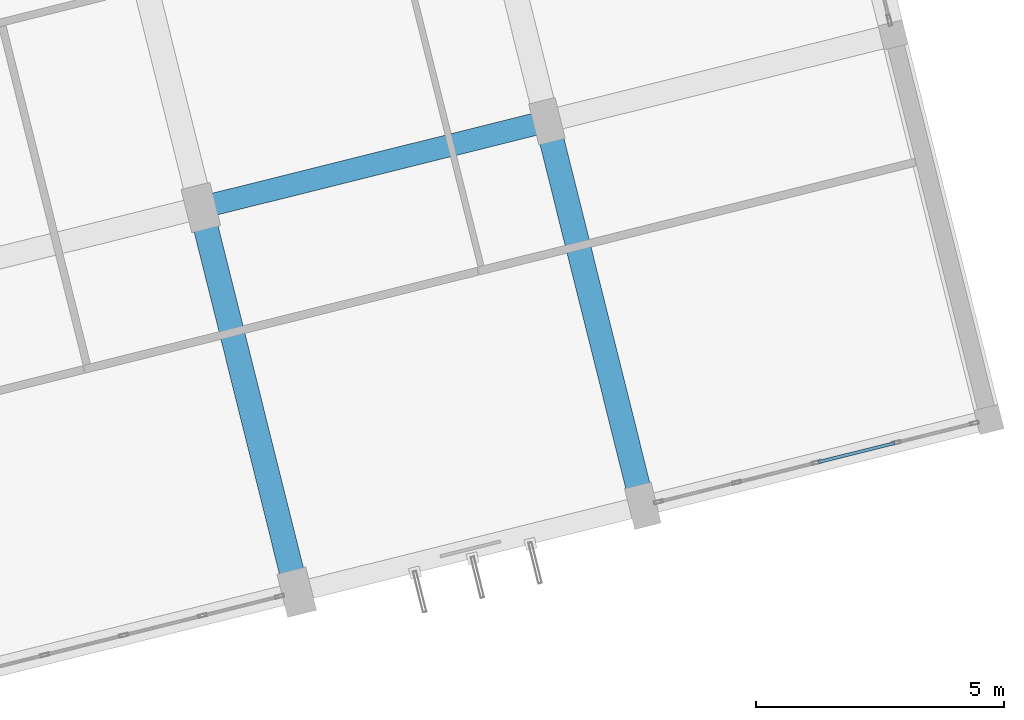
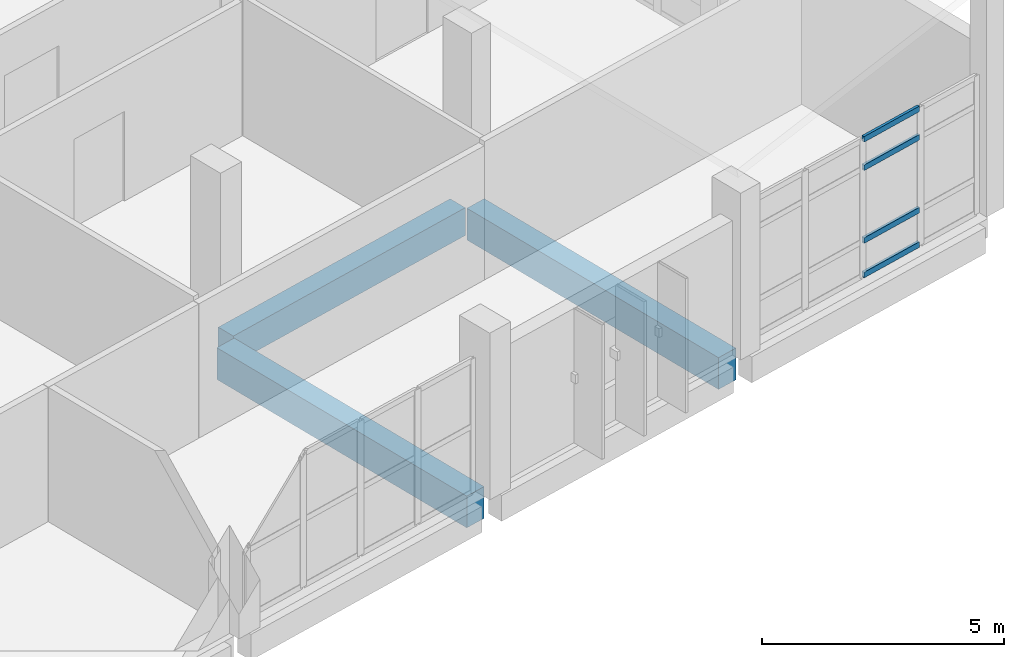
# One storey, part 109 of 164: 4 members, 3 beams, 1 element without a shape of its own.
"""IFC4 building model written with IfcOpenShell, lengths in metres."""

from ifc_helpers import new_model, si_unit, direction, frame, origin, origin_2d, place, context, subcontext, project, spatial, rectangle, hollow_rectangle, extrude, material, layer, layer_set, material_profile, profile_set, type_object, element, aggregate, save


model = new_model("IFC4")

# Units and contexts
model_context = context("Model", 3, precision=1e-05, world=origin(), true_north=direction((0.0, 1.0)))
body_context = subcontext(model_context, "Body", "Model", "MODEL_VIEW")
ifc_project = project(units=[si_unit("LENGTHUNIT", "METRE"), si_unit("AREAUNIT", "SQUARE_METRE"), si_unit("VOLUMEUNIT", "CUBIC_METRE"), si_unit("PLANEANGLEUNIT", "RADIAN"), si_unit("MASSUNIT", "GRAM", prefix="KILO")], contexts=[model_context])

# Site, building, storey
site_placement = place(None, origin())
site = spatial("IfcSite", under=ifc_project, at=site_placement, CompositionType="ELEMENT")
building_placement = place(site_placement, origin())
building = spatial("IfcBuilding", under=site, at=building_placement, Name="Mawjan Specialist Oncology Clinic", CompositionType="ELEMENT")
storey_placement = place(building_placement, frame((0.0, 0.0, 5.0)))
storey = spatial("IfcBuildingStorey", under=building, at=storey_placement, Name="L01", CompositionType="ELEMENT", Elevation=5.0)

# Beams
ifc_material_1 = material(Name="Concrete C40/50", Category="concrete")
ifc_material_profile_1 = material_profile(ifc_material_1, rectangle(XDim=0.449951171875, YDim=0.699951171875, at=origin_2d()), Name="RC BM 450x700", Category="concrete")
ifc_profile_set_1 = profile_set([ifc_material_profile_1], Name="Concrete C40/50")
beam_type_1 = type_object("IfcBeamType", Name="BM-450x700", PredefinedType="BEAM", material=ifc_profile_set_1)
beam_1_placement = place(storey_placement, frame((145.299560546875, 13.85693359375, -0.64990234375), z_axis=(0.970299828174, 0.241905443192, 0.0), x_axis=(-0.241905443192, 0.970299828174, 0.0)))
element("IfcBeam", 1, at=beam_1_placement, inside=storey, type_object=beam_type_1, Name="L01 Collector Beam BM-L01-0593", PredefinedType="BEAM", context=body_context, shape_type="SweptSolid", body=[
    extrude(rectangle(XDim=0.449951171875, YDim=0.699951171875, at=origin_2d()), origin(), (0.0, 0.0, 1.0), 6.655029296875),
])
ifc_material_2 = material(Name="Concrete C45/55", Category="concrete")
ifc_material_profile_2 = material_profile(ifc_material_2, rectangle(XDim=0.5, YDim=0.800048828125, at=origin_2d()), Name="RC BM 500x800", Category="concrete")
ifc_profile_set_2 = profile_set([ifc_material_profile_2], Name="Concrete C45/55")
beam_type_2 = type_object("IfcBeamType", Name="BM-500x800", PredefinedType="BEAM", material=ifc_profile_set_2)
beam_2_placement = place(storey_placement, frame((146.889404296875, 6.302001953125, -0.699951171875), z_axis=(-0.241909317102, 0.970298862361, 0.0), x_axis=(-0.970298862361, -0.241909317102, 0.0)))
element("IfcBeam", 2, at=beam_2_placement, inside=storey, type_object=beam_type_2, Name="L01 Collector Beam BM-L01-0625", PredefinedType="BEAM", context=body_context, shape_type="SweptSolid", body=[
    extrude(rectangle(XDim=0.5, YDim=0.800048828125, at=origin_2d()), origin(), (0.0, 0.0, 1.0), 7.429931640625),
])
beam_3_placement = place(storey_placement, frame((153.881591796875, 8.01953125, -0.699951171875), z_axis=(-0.241921192876, 0.970295901485, 0.0), x_axis=(-0.970295901485, -0.241921192876, 0.0)))
element("IfcBeam", 3, at=beam_3_placement, inside=storey, type_object=beam_type_2, Name="L01 Collector Beam BM-L01-0630", PredefinedType="BEAM", context=body_context, shape_type="SweptSolid", body=[
    extrude(rectangle(XDim=0.5, YDim=0.800048828125, at=origin_2d()), origin(), (0.0, 0.0, 1.0), 7.47998046875),
])

# Curtain wall, members
ifc_material_3 = material(Name="Unitised spectrally selective aluminium curtain wall", Category="aluminium")
ifc_layer = layer(ifc_material_3, 0.179931640625, Name="Unitised spectrally selective aluminium curtain wall", Category="aluminium")
ifc_layer_set = layer_set([ifc_layer], Name="Unitised spectrally selective aluminium curtain wall")
curtain_wall_type = type_object("IfcCurtainWallType", Name="CW-43", PredefinedType="NOTDEFINED", material=ifc_layer_set)
curtain_wall_placement = place(storey_placement, origin())
curtain_wall = element("IfcCurtainWall", 4, at=curtain_wall_placement, inside=storey, type_object=curtain_wall_type, Name="L01 Unitised Curtain Wall CW-L01-087", PredefinedType="NOTDEFINED")
ifc_material_4 = material(Name="Thermally broken aluminium 6063-T6", Category="aluminium")
ifc_material_profile_3 = material_profile(ifc_material_4, hollow_rectangle(XDim=0.06494140625, YDim=0.139892578125, WallThickness=0.00390625, at=origin_2d()), Name="ALU TRANSOM 140x65x4", Category="aluminium")
ifc_profile_set_3 = profile_set([ifc_material_profile_3], Name="Thermally broken aluminium 6063-T6")
member_type = type_object("IfcMemberType", Name="CW-T140", PredefinedType="USERDEFINED", material=ifc_profile_set_3)
member_1_placement = place(storey_placement, frame((159.027587890625, 9.03466796875, 0.032470703125), z_axis=(-0.970304484208, -0.241886766745, 0.0), x_axis=(0.241886766745, -0.970304484208, 0.0)))
member_1 = element("IfcMember", 5, at=member_1_placement, type_object=member_type, Name="CW-43 transom 2.1", ObjectType="TRANSOM", PredefinedType="USERDEFINED", context=body_context, shape_type="SweptSolid", body=[
    extrude(hollow_rectangle(XDim=0.06494140625, YDim=0.139892578125, WallThickness=0.00390625, at=origin_2d()), origin(), (0.0, 0.0, 1.0), 1.59375),
])
member_2_placement = place(storey_placement, frame((159.027587890625, 9.03466796875, 0.89990234375), z_axis=(-0.970304484208, -0.241886766745, 0.0), x_axis=(0.241886766745, -0.970304484208, 0.0)))
member_2 = element("IfcMember", 6, at=member_2_placement, type_object=member_type, Name="CW-43 transom 2.2", ObjectType="TRANSOM", PredefinedType="USERDEFINED", context=body_context, shape_type="SweptSolid", body=[
    extrude(hollow_rectangle(XDim=0.06494140625, YDim=0.139892578125, WallThickness=0.00390625, at=origin_2d()), origin(), (0.0, 0.0, 1.0), 1.59375),
])
member_3_placement = place(storey_placement, frame((159.027587890625, 9.03466796875, 2.735107421875), z_axis=(-0.970304484208, -0.241886766745, 0.0), x_axis=(0.241886766745, -0.970304484208, 0.0)))
member_3 = element("IfcMember", 7, at=member_3_placement, type_object=member_type, Name="CW-43 transom 2.3", ObjectType="TRANSOM", PredefinedType="USERDEFINED", context=body_context, shape_type="SweptSolid", body=[
    extrude(hollow_rectangle(XDim=0.06494140625, YDim=0.139892578125, WallThickness=0.00390625, at=origin_2d()), origin(), (0.0, 0.0, 1.0), 1.59375),
])
member_4_placement = place(storey_placement, frame((159.027587890625, 9.03466796875, 3.452392578125), z_axis=(-0.970304484208, -0.241886766745, 0.0), x_axis=(0.241886766745, -0.970304484208, 0.0)))
member_4 = element("IfcMember", 8, at=member_4_placement, type_object=member_type, Name="CW-43 transom 2.4", ObjectType="TRANSOM", PredefinedType="USERDEFINED", context=body_context, shape_type="SweptSolid", body=[
    extrude(hollow_rectangle(XDim=0.06494140625, YDim=0.139892578125, WallThickness=0.00390625, at=origin_2d()), origin(), (0.0, 0.0, 1.0), 1.59375),
])
aggregate(curtain_wall, [member_1, member_2, member_3, member_4])

save(model, "model.ifc")
